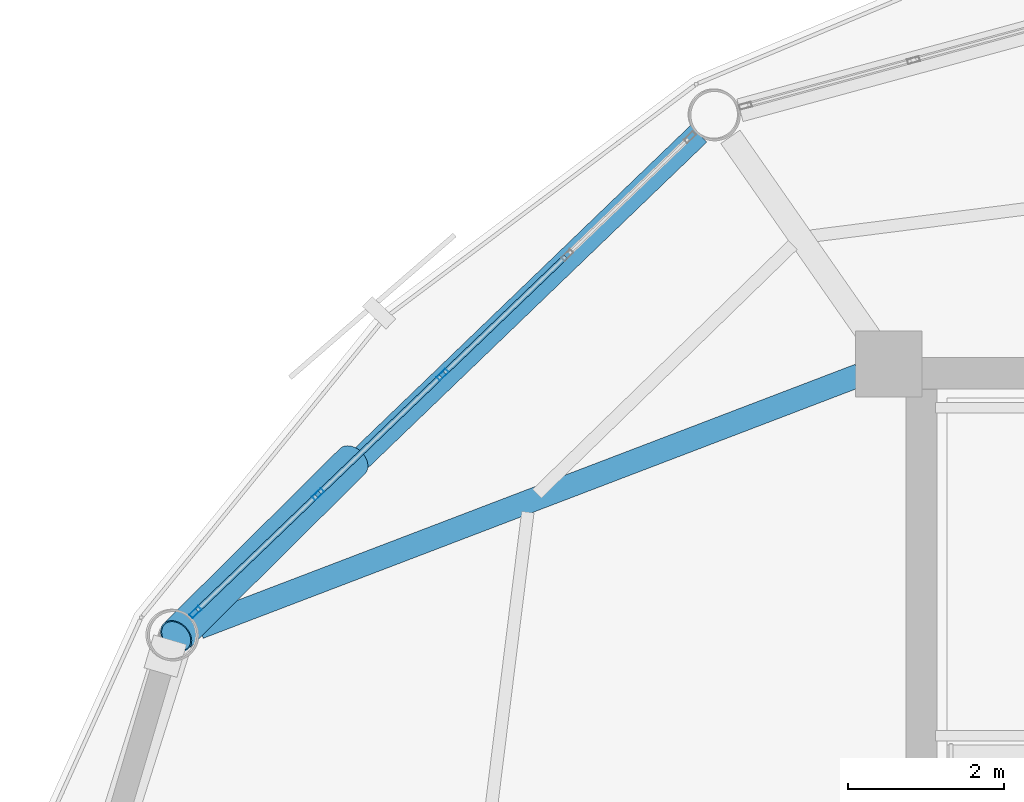
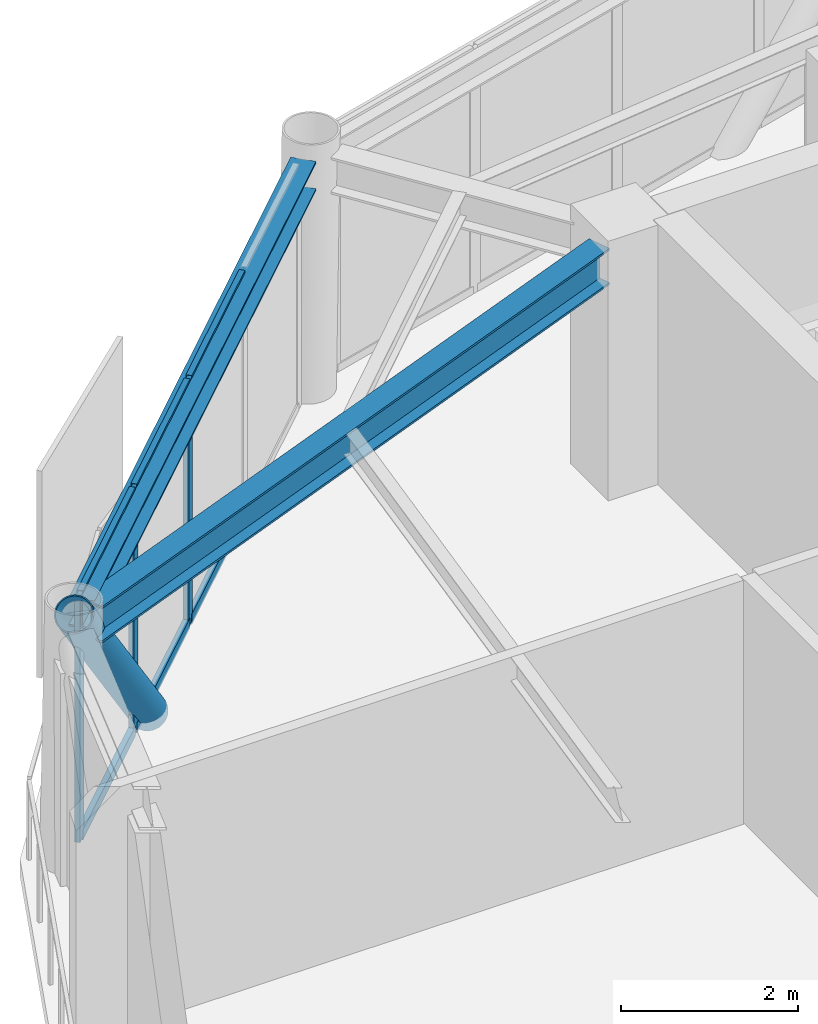
# One storey, part 13 of 28: 10 members, 2 beams, 1 element without a shape of its own.
"""IFC4 building model written with IfcOpenShell, lengths in metres."""

from ifc_helpers import new_model, si_unit, direction, frame, origin, origin_2d, place, context, subcontext, project, spatial, hollow_rectangle, hollow_circle, i_section, extrude, material, layer, layer_set, material_profile, profile_set, type_object, element, aggregate, save


model = new_model("IFC4")

# Units and contexts
model_context = context("Model", 3, precision=1e-05, world=origin(), true_north=direction((0.0, 1.0)))
body_context = subcontext(model_context, "Body", "Model", "MODEL_VIEW")
ifc_project = project(units=[si_unit("LENGTHUNIT", "METRE"), si_unit("AREAUNIT", "SQUARE_METRE"), si_unit("VOLUMEUNIT", "CUBIC_METRE"), si_unit("PLANEANGLEUNIT", "RADIAN"), si_unit("MASSUNIT", "GRAM", prefix="KILO")], contexts=[model_context])

# Site, building, storey
site_placement = place(None, origin())
site = spatial("IfcSite", under=ifc_project, at=site_placement, CompositionType="ELEMENT")
building_placement = place(site_placement, origin())
building = spatial("IfcBuilding", under=site, at=building_placement, Name="Varnakorn Sky Granary", CompositionType="ELEMENT")
storey_placement = place(building_placement, frame((0.0, 0.0, 211.199951171875)))
storey = spatial("IfcBuildingStorey", under=building, at=storey_placement, Name="L53", CompositionType="ELEMENT", Elevation=211.199951171875)

# Beams
ifc_material_1 = material(Name="Steel S355JR", Category="steel")
ifc_material_profile_1 = material_profile(ifc_material_1, i_section(OverallWidth=0.300048828125, OverallDepth=0.5, WebThickness=0.014404296875, FlangeThickness=0.028076171875, at=origin_2d()), Name="HE 500 B")
ifc_profile_set_1 = profile_set([ifc_material_profile_1], Name="Steel S355JR")
beam_type_1 = type_object("IfcBeamType", Name="BM-RAD-Z4", PredefinedType="BEAM", material=ifc_profile_set_1)
beam_1_placement = place(storey_placement, frame((-2.79833984375, 12.4755859375, 3.110107421875), z_axis=(-0.934139877074, -0.356907116852, 0.0), x_axis=(0.356907116852, -0.934139877074, 0.0)))
element("IfcBeam", 1, at=beam_1_placement, inside=storey, type_object=beam_type_1, Name="Radial Floor Girder RG06 L53", PredefinedType="BEAM", context=body_context, shape_type="SweptSolid", body=[
    extrude(i_section(OverallWidth=0.300048828125, OverallDepth=0.5, WebThickness=0.014404296875, FlangeThickness=0.028076171875, at=origin_2d()), origin(), (0.0, 0.0, 1.0), 9.084228515625),
])
ifc_material_profile_2 = material_profile(ifc_material_1, i_section(OverallWidth=0.300048828125, OverallDepth=0.39990234375, WebThickness=0.013427734375, FlangeThickness=0.02392578125, at=origin_2d()), Name="HE 400 B")
ifc_profile_set_2 = profile_set([ifc_material_profile_2], Name="Steel S355JR")
beam_type_2 = type_object("IfcBeamType", Name="BM-SPD-Z4", PredefinedType="SPANDREL", material=ifc_profile_set_2)
beam_2_placement = place(storey_placement, frame((-4.862060546875, 15.57958984375, 3.16015625), z_axis=(-0.720801797987, -0.693141232376, 0.0), x_axis=(0.693141232376, -0.720801797987, 0.0)))
element("IfcBeam", 2, at=beam_2_placement, inside=storey, type_object=beam_type_2, Name="Perimeter Spandrel Ring Beam RB05 L53", PredefinedType="SPANDREL", context=body_context, shape_type="SweptSolid", body=[
    extrude(i_section(OverallWidth=0.300048828125, OverallDepth=0.39990234375, WebThickness=0.013427734375, FlangeThickness=0.02392578125, at=origin_2d()), origin(), (0.0, 0.0, 1.0), 9.0029296875),
])

# Curtain wall, members
ifc_material_2 = material(Name="Anodised Bronze Aluminium Alloy 6063-T6", Category="aluminium")
ifc_layer = layer(ifc_material_2, 0.169921875, Name="Anodised Bronze Aluminium Alloy 6063-T6")
ifc_layer_set = layer_set([ifc_layer], Name="Anodised Bronze Aluminium Alloy 6063-T6")
curtain_wall_type = type_object("IfcCurtainWallType", Name="CW-LAB-1", PredefinedType="USERDEFINED", material=ifc_layer_set)
curtain_wall_placement = place(storey_placement, origin())
curtain_wall = element("IfcCurtainWall", 3, at=curtain_wall_placement, inside=storey, type_object=curtain_wall_type, Name="Unitised Curtain Wall CW5 CW-L53-B05", ObjectType="CURTAIN WALL", PredefinedType="USERDEFINED")
ifc_material_profile_3 = material_profile(ifc_material_2, hollow_rectangle(XDim=0.06494140625, YDim=0.159912109375, WallThickness=0.00341796875, at=origin_2d()), Name="ALU MULL 65x160")
ifc_profile_set_3 = profile_set([ifc_material_profile_3], Name="Anodised Bronze Aluminium Alloy 6063-T6")
member_type_1 = type_object("IfcMemberType", Name="CW-LAB-1-MULL", PredefinedType="MULLION", material=ifc_profile_set_3)
member_1_placement = place(storey_placement, frame((-11.332763671875, 9.4306640625, 0.0), z_axis=(0.0, 0.0, 1.0), x_axis=(-0.692516121649, 0.721402398982, 0.0)))
member_1 = element("IfcMember", 4, at=member_1_placement, type_object=member_type_1, Name="CW5 mullion 1", PredefinedType="MULLION", context=body_context, shape_type="SweptSolid", body=[
    extrude(hollow_rectangle(XDim=0.06494140625, YDim=0.159912109375, WallThickness=0.00341796875, at=origin_2d()), origin(), (0.0, 0.0, 1.0), 3.360107421875),
])
member_2_placement = place(storey_placement, frame((-9.754638671875, 10.9453125, 0.0), z_axis=(0.0, 0.0, 1.0), x_axis=(-0.692516121649, 0.721402398982, 0.0)))
member_2 = element("IfcMember", 5, at=member_2_placement, type_object=member_type_1, Name="CW5 mullion 2", PredefinedType="MULLION", context=body_context, shape_type="SweptSolid", body=[
    extrude(hollow_rectangle(XDim=0.06494140625, YDim=0.159912109375, WallThickness=0.00341796875, at=origin_2d()), origin(), (0.0, 0.0, 1.0), 3.360107421875),
])
member_3_placement = place(storey_placement, frame((-8.1533203125, 12.482666015625, 0.0), z_axis=(0.0, 0.0, 1.0), x_axis=(-0.692516121649, 0.721402398982, 0.0)))
member_3 = element("IfcMember", 6, at=member_3_placement, type_object=member_type_1, Name="CW5 mullion 3", PredefinedType="MULLION", context=body_context, shape_type="SweptSolid", body=[
    extrude(hollow_rectangle(XDim=0.06494140625, YDim=0.159912109375, WallThickness=0.00341796875, at=origin_2d()), origin(), (0.0, 0.0, 1.0), 3.360107421875),
])
ifc_material_profile_4 = material_profile(ifc_material_2, hollow_rectangle(XDim=0.070068359375, YDim=0.139892578125, WallThickness=0.00341796875, at=origin_2d()), Name="ALU TRAN 70x140")
ifc_profile_set_4 = profile_set([ifc_material_profile_4], Name="Anodised Bronze Aluminium Alloy 6063-T6")
member_type_2 = type_object("IfcMemberType", Name="CW-LAB-1-TRAN", PredefinedType="USERDEFINED", material=ifc_profile_set_4)
member_4_placement = place(storey_placement, frame((-11.309326171875, 9.453125, 0.03515625), z_axis=(0.721451679609, 0.692464781768, 0.0), x_axis=(-0.692464781768, 0.721451679609, 0.0)))
member_4 = element("IfcMember", 7, at=member_4_placement, type_object=member_type_2, Name="CW5 transom 1.1", ObjectType="TRANSOM", PredefinedType="USERDEFINED", context=body_context, shape_type="SweptSolid", body=[
    extrude(hollow_rectangle(XDim=0.070068359375, YDim=0.139892578125, WallThickness=0.00341796875, at=origin_2d()), origin(), (0.0, 0.0, 1.0), 2.12255859375),
])
member_5_placement = place(storey_placement, frame((-11.309326171875, 9.453125, 3.324951171875), z_axis=(0.721451679609, 0.692464781768, 0.0), x_axis=(-0.692464781768, 0.721451679609, 0.0)))
member_5 = element("IfcMember", 8, at=member_5_placement, type_object=member_type_2, Name="CW5 transom 1.2", ObjectType="TRANSOM", PredefinedType="USERDEFINED", context=body_context, shape_type="SweptSolid", body=[
    extrude(hollow_rectangle(XDim=0.070068359375, YDim=0.139892578125, WallThickness=0.00341796875, at=origin_2d()), origin(), (0.0, 0.0, 1.0), 2.12255859375),
])
member_6_placement = place(storey_placement, frame((-9.731201171875, 10.968017578125, 0.03515625), z_axis=(0.721405434301, 0.692512959706, 0.0), x_axis=(-0.692512959706, 0.721405434301, 0.0)))
member_6 = element("IfcMember", 9, at=member_6_placement, type_object=member_type_2, Name="CW5 transom 2.1", ObjectType="TRANSOM", PredefinedType="USERDEFINED", context=body_context, shape_type="SweptSolid", body=[
    extrude(hollow_rectangle(XDim=0.070068359375, YDim=0.139892578125, WallThickness=0.00341796875, at=origin_2d()), origin(), (0.0, 0.0, 1.0), 2.15478515625),
])
member_7_placement = place(storey_placement, frame((-9.731201171875, 10.968017578125, 3.324951171875), z_axis=(0.721405434301, 0.692512959706, 0.0), x_axis=(-0.692512959706, 0.721405434301, 0.0)))
member_7 = element("IfcMember", 10, at=member_7_placement, type_object=member_type_2, Name="CW5 transom 2.2", ObjectType="TRANSOM", PredefinedType="USERDEFINED", context=body_context, shape_type="SweptSolid", body=[
    extrude(hollow_rectangle(XDim=0.070068359375, YDim=0.139892578125, WallThickness=0.00341796875, at=origin_2d()), origin(), (0.0, 0.0, 1.0), 2.15478515625),
])
member_8_placement = place(storey_placement, frame((-8.129638671875, 12.50537109375, 0.03515625), z_axis=(0.721405434301, 0.692512959706, 0.0), x_axis=(-0.692512959706, 0.721405434301, 0.0)))
member_8 = element("IfcMember", 11, at=member_8_placement, type_object=member_type_2, Name="CW5 transom 3.1", ObjectType="TRANSOM", PredefinedType="USERDEFINED", context=body_context, shape_type="SweptSolid", body=[
    extrude(hollow_rectangle(XDim=0.070068359375, YDim=0.139892578125, WallThickness=0.00341796875, at=origin_2d()), origin(), (0.0, 0.0, 1.0), 2.15478515625),
])
member_9_placement = place(storey_placement, frame((-8.129638671875, 12.50537109375, 3.324951171875), z_axis=(0.721405434301, 0.692512959706, 0.0), x_axis=(-0.692512959706, 0.721405434301, 0.0)))
member_9 = element("IfcMember", 12, at=member_9_placement, type_object=member_type_2, Name="CW5 transom 3.2", ObjectType="TRANSOM", PredefinedType="USERDEFINED", context=body_context, shape_type="SweptSolid", body=[
    extrude(hollow_rectangle(XDim=0.070068359375, YDim=0.139892578125, WallThickness=0.00341796875, at=origin_2d()), origin(), (0.0, 0.0, 1.0), 2.15478515625),
])
aggregate(curtain_wall, [member_1, member_2, member_3, member_4, member_5, member_6, member_7, member_8, member_9])

# Member
ifc_material_3 = material(Name="Steel S460M", Category="steel")
ifc_material_profile_5 = material_profile(ifc_material_3, hollow_circle(Radius=0.228515625, WallThickness=0.01611328125, at=origin_2d()), Name="CHS 457x16")
ifc_profile_set_5 = profile_set([ifc_material_profile_5], Name="Steel S460M")
member_type_3 = type_object("IfcMemberType", Name="MB-DIAG-T3", PredefinedType="BRACE", material=ifc_profile_set_5)
member_10_placement = place(storey_placement, frame((-9.314697265625, 11.367919921875, -0.1298828125), z_axis=(-0.478836020751, -0.475221384554, 0.738160349039), x_axis=(0.704422710828, -0.709780701674, 0.0)))
element("IfcMember", 13, at=member_10_placement, inside=storey, type_object=member_type_3, Name="Perimeter CHS Diagrid Brace DG05 L53", PredefinedType="BRACE", context=body_context, shape_type="SweptSolid", body=[
    extrude(hollow_circle(Radius=0.228515625, WallThickness=0.01611328125, at=origin_2d()), origin(), (0.0, 0.0, 1.0), 4.72802734375),
])

save(model, "model.ifc")
